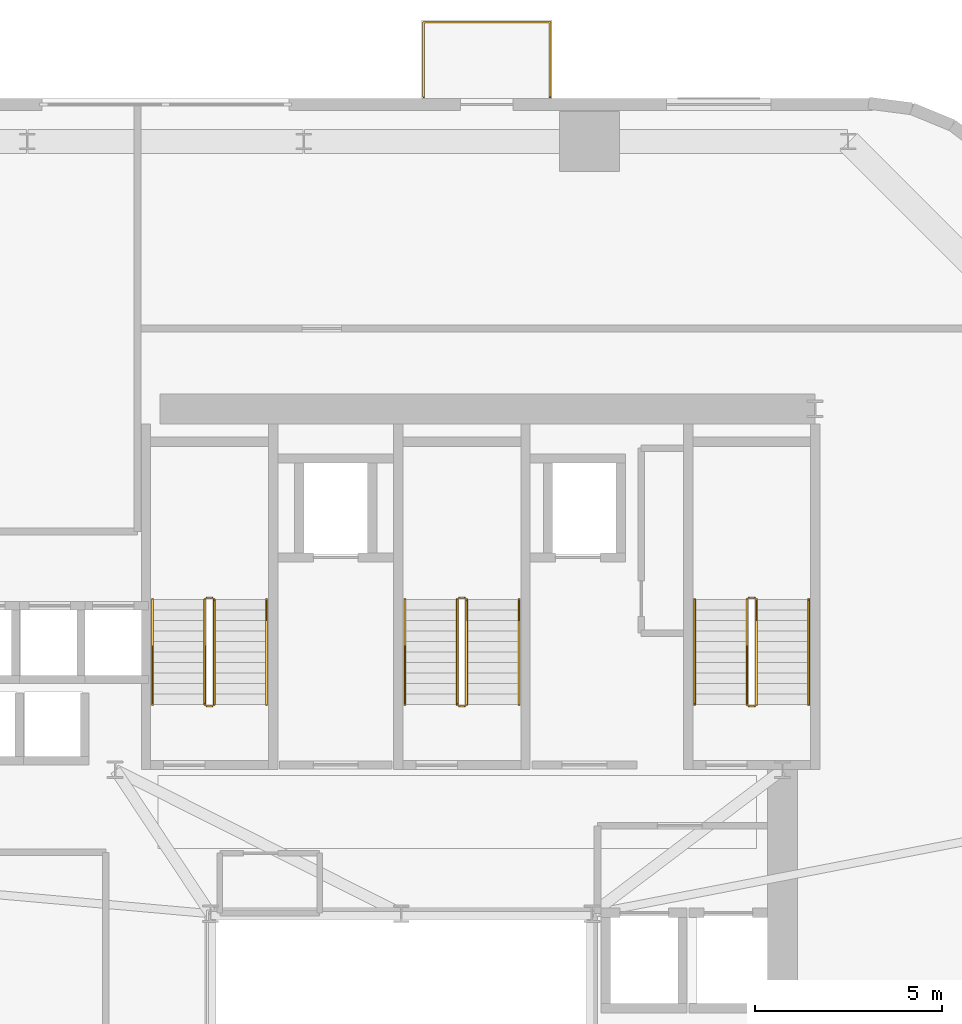
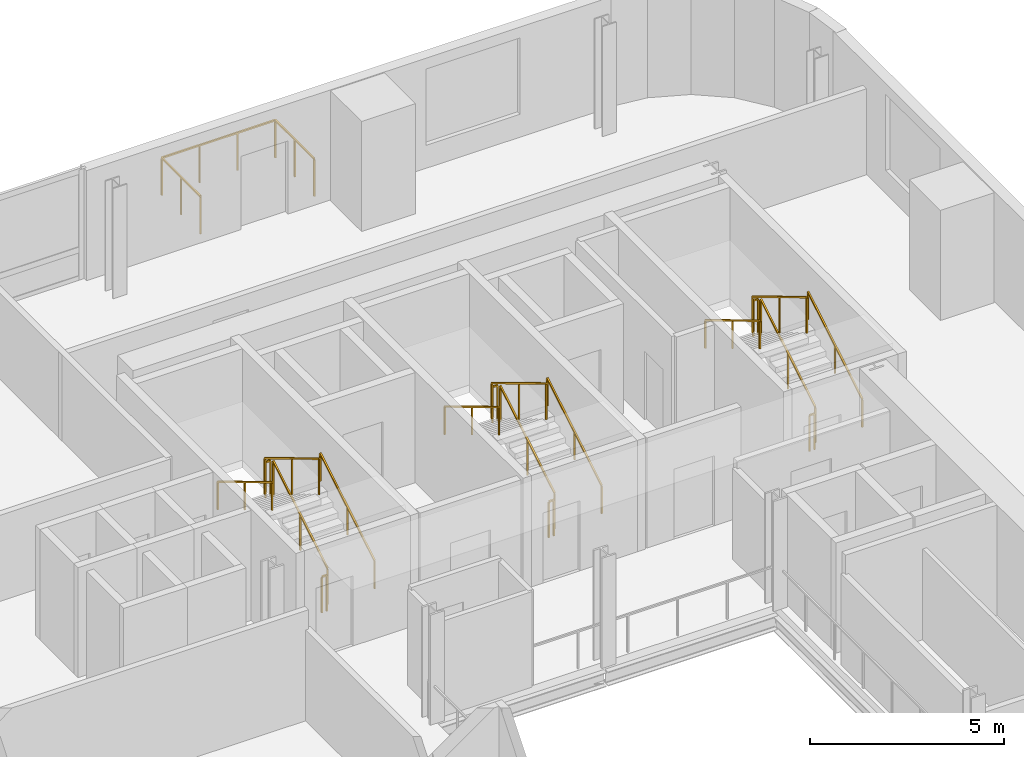
# One storey, part 11 of 11: 19 railings.
"""IFC4 building model written with IfcOpenShell, lengths in metres."""

from ifc_helpers import new_model, si_unit, direction, frame, origin, origin_2d, place, context, subcontext, project, spatial, rectangle, extrude, source, transform, mapped, material, type_object, element, save


model = new_model("IFC4")

# Units and contexts
model_context = context("Model", 3, precision=1e-05, world=origin(), true_north=direction((0.0, 1.0)))
body_context = subcontext(model_context, "Body", "Model", "MODEL_VIEW")
ifc_project = project(units=[si_unit("LENGTHUNIT", "METRE"), si_unit("AREAUNIT", "SQUARE_METRE"), si_unit("VOLUMEUNIT", "CUBIC_METRE"), si_unit("PLANEANGLEUNIT", "RADIAN"), si_unit("MASSUNIT", "GRAM", prefix="KILO")], contexts=[model_context])

# Site, building, storey
site_placement = place(None, origin())
site = spatial("IfcSite", under=ifc_project, at=site_placement, CompositionType="ELEMENT")
building_placement = place(site_placement, origin())
building = spatial("IfcBuilding", under=site, at=building_placement, Name="Vardaveli Station Tower", CompositionType="ELEMENT")
storey_placement = place(building_placement, frame((0.0, 0.0, 155.699951171875)))
storey = spatial("IfcBuildingStorey", under=building, at=storey_placement, Name="L40", CompositionType="ELEMENT", Elevation=155.699951171875)

# Railings
ifc_material_1 = material(Name="Laminated glass and stainless steel balustrade", Category="steel")
railing_type_1 = type_object("IfcRailingType", Name="RL-BAL-1200", PredefinedType="BALUSTRADE", material=ifc_material_1)
shared_shape_1 = source(origin(), body_context, "Body", "SweptSolid", [
    extrude(rectangle(XDim=0.048095703125, YDim=0.048095703125, at=origin_2d()), frame((0.0, 0.0, 1.17578125), z_axis=(0.0, 1.0, 0.0), x_axis=(-1.0, 0.0, 0.0)), (0.0, 0.0, 1.0), 2.0),
    extrude(rectangle(XDim=0.048095703125, YDim=0.048095703125, at=origin_2d()), frame((0.0, 2.0, 1.17578125), z_axis=(1.0, 0.0, 0.0), x_axis=(0.0, 1.0, 0.0)), (0.0, 0.0, 1.0), 3.3798828125),
    extrude(rectangle(XDim=0.048095703125, YDim=0.048095703125, at=origin_2d()), frame((3.3798828125, 2.0, 1.17578125), z_axis=(0.0, -1.0, 0.0), x_axis=(1.0, 0.0, 0.0)), (0.0, 0.0, 1.0), 2.0),
    extrude(rectangle(XDim=0.0419921875, YDim=0.0419921875, at=origin_2d()), origin(), (0.0, 0.0, 1.0), 1.15185546875),
    extrude(rectangle(XDim=0.0419921875, YDim=0.0419921875, at=origin_2d()), frame((0.0, 1.0, 0.0)), (0.0, 0.0, 1.0), 1.15185546875),
    extrude(rectangle(XDim=0.0419921875, YDim=0.0419921875, at=origin_2d()), frame((0.0, 2.0, 0.0)), (0.0, 0.0, 1.0), 1.15185546875),
    extrude(rectangle(XDim=0.0419921875, YDim=0.0419921875, at=origin_2d()), frame((1.126708984375, 2.0, 0.0)), (0.0, 0.0, 1.0), 1.15185546875),
    extrude(rectangle(XDim=0.0419921875, YDim=0.0419921875, at=origin_2d()), frame((2.253173828125, 2.0, 0.0)), (0.0, 0.0, 1.0), 1.15185546875),
    extrude(rectangle(XDim=0.0419921875, YDim=0.0419921875, at=origin_2d()), frame((3.3798828125, 2.0, 0.0)), (0.0, 0.0, 1.0), 1.15185546875),
    extrude(rectangle(XDim=0.0419921875, YDim=0.0419921875, at=origin_2d()), frame((3.3798828125, 1.0, 0.0)), (0.0, 0.0, 1.0), 1.15185546875),
    extrude(rectangle(XDim=0.0419921875, YDim=0.0419921875, at=origin_2d()), frame((3.3798828125, 0.0, 0.0)), (0.0, 0.0, 1.0), 1.15185546875),
])
railing_placement = place(storey_placement, frame((36.899658203125, 48.639892578125, 0.0)))
element("IfcRailing", 1, at=railing_placement, inside=storey, type_object=railing_type_1, Name="RL-LOG-L40-02", PredefinedType="BALUSTRADE", context=body_context, shape_type="MappedRepresentation", body=[
    mapped(shared_shape_1, transform((0.0, 0.0, 0.0), scale=1.0)),
])
ifc_material_2 = material(Name="Brushed AISI 316 stainless steel", Category="steel")
railing_type_2 = type_object("IfcRailingType", Name="RL-GUARD-1150", PredefinedType="GUARDRAIL", material=ifc_material_2)
shared_shape_2 = source(origin(), body_context, "Body", "SweptSolid", [
    extrude(rectangle(XDim=0.048095703125, YDim=0.048095703125, at=origin_2d()), frame((0.0, 0.0, 1.1259765625), z_axis=(-1.0, 0.0, 0.0), x_axis=(0.0, -1.0, 0.0)), (0.0, 0.0, 1.0), 0.14990234375),
    extrude(rectangle(XDim=0.0419921875, YDim=0.0419921875, at=origin_2d()), origin(), (0.0, 0.0, 1.0), 1.101806640625),
    extrude(rectangle(XDim=0.0419921875, YDim=0.0419921875, at=origin_2d()), frame((-0.14990234375, 0.0, 0.0)), (0.0, 0.0, 1.0), 1.101806640625),
])
for number, where, name in (
    (2, (31.25, 35.25, 1.85009765625), "L40 ST-1 stair guard 2"),
    (3, (31.25, 32.35009765625, 0.0), "L40 ST-1 stair guard 4"),
    (4, (38.0, 35.25, 1.85009765625), "L40 ST-2 stair guard 2"),
    (5, (38.0, 32.35009765625, 0.0), "L40 ST-2 stair guard 4"),
    (6, (45.75, 35.25, 1.85009765625), "L40 ST-3 stair guard 2"),
    (7, (45.75, 32.35009765625, 0.0), "L40 ST-3 stair guard 4"),
):
    element("IfcRailing", number, at=place(storey_placement, frame(where)), inside=storey, type_object=railing_type_2, Name=name, PredefinedType="GUARDRAIL", context=body_context, shape_type="MappedRepresentation", body=[
        mapped(shared_shape_2, transform((0.0, 0.0, 0.0), scale=1.0)),
    ])
shared_shape_3 = source(origin(), body_context, "Body", "SweptSolid", [
    extrude(rectangle(XDim=0.048095703125, YDim=0.048095703125, at=origin_2d()), frame((0.0, 0.0, 1.1259765625), z_axis=(0.0, 0.857242210791, 0.514913383045), x_axis=(-1.0, 0.0, 0.0)), (0.0, 0.0, 1.0), 3.266357421875),
    extrude(rectangle(XDim=0.0419921875, YDim=0.0419921875, at=origin_2d()), origin(), (0.0, 0.0, 1.0), 1.101806640625),
    extrude(rectangle(XDim=0.0419921875, YDim=0.0419921875, at=origin_2d()), frame((0.0, 1.39990234375, 0.8408203125)), (0.0, 0.0, 1.0), 1.101806640625),
    extrude(rectangle(XDim=0.0419921875, YDim=0.0419921875, at=origin_2d()), frame((0.0, 2.800048828125, 1.681884765625)), (0.0, 0.0, 1.0), 1.101806640625),
])
for number, where, name in (
    (8, (31.300048828125, 32.39990234375, 0.168212890625), "L40 ST-1 stair guard 1"),
    (9, (38.050048828125, 32.39990234375, 0.168212890625), "L40 ST-2 stair guard 1"),
    (10, (45.800048828125, 32.39990234375, 0.168212890625), "L40 ST-3 stair guard 1"),
):
    element("IfcRailing", number, at=place(storey_placement, frame(where)), inside=storey, type_object=railing_type_2, Name=name, PredefinedType="GUARDRAIL", context=body_context, shape_type="MappedRepresentation", body=[
        mapped(shared_shape_3, transform((0.0, 0.0, 0.0), scale=1.0)),
    ])
railing_type_3 = type_object("IfcRailingType", Name="RL-HAND-900", PredefinedType="HANDRAIL", material=ifc_material_2)
shared_shape_4 = source(origin(), body_context, "Body", "SweptSolid", [
    extrude(rectangle(XDim=0.048095703125, YDim=0.048095703125, at=origin_2d()), frame((0.0, 0.0, 0.8759765625), z_axis=(0.0, 0.857242210791, 0.514913383045), x_axis=(-1.0, 0.0, 0.0)), (0.0, 0.0, 1.0), 3.266357421875),
    extrude(rectangle(XDim=0.0419921875, YDim=0.0419921875, at=origin_2d()), origin(), (0.0, 0.0, 1.0), 0.851806640625),
    extrude(rectangle(XDim=0.0419921875, YDim=0.0419921875, at=origin_2d()), frame((0.0, 1.39990234375, 0.8408203125)), (0.0, 0.0, 1.0), 0.851806640625),
    extrude(rectangle(XDim=0.0419921875, YDim=0.0419921875, at=origin_2d()), frame((0.0, 2.800048828125, 1.681884765625)), (0.0, 0.0, 1.0), 0.851806640625),
])
for number, where, name in (
    (11, (32.699951171875, 32.39990234375, 0.168212890625), "L40 ST-1 stair handrail 1"),
    (12, (39.449951171875, 32.39990234375, 0.168212890625), "L40 ST-2 stair handrail 1"),
    (13, (47.199951171875, 32.39990234375, 0.168212890625), "L40 ST-3 stair handrail 1"),
):
    element("IfcRailing", number, at=place(storey_placement, frame(where)), inside=storey, type_object=railing_type_3, Name=name, PredefinedType="HANDRAIL", context=body_context, shape_type="MappedRepresentation", body=[
        mapped(shared_shape_4, transform((0.0, 0.0, 0.0), scale=1.0)),
    ])
shared_shape_5 = source(origin(), body_context, "Body", "SweptSolid", [
    extrude(rectangle(XDim=0.048095703125, YDim=0.048095703125, at=origin_2d()), frame((0.0, 0.0, 1.1259765625), z_axis=(0.0, -0.857275202839, 0.514858452973), x_axis=(1.0, 0.0, 0.0)), (0.0, 0.0, 1.0), 3.26611328125),
    extrude(rectangle(XDim=0.0419921875, YDim=0.0419921875, at=origin_2d()), origin(), (0.0, 0.0, 1.0), 1.101806640625),
    extrude(rectangle(XDim=0.0419921875, YDim=0.0419921875, at=origin_2d()), frame((0.0, -1.39990234375, 0.8408203125)), (0.0, 0.0, 1.0), 1.101806640625),
    extrude(rectangle(XDim=0.0419921875, YDim=0.0419921875, at=origin_2d()), frame((0.0, -2.800048828125, 1.681640625)), (0.0, 0.0, 1.0), 1.101806640625),
])
for number, where, name in (
    (14, (31.050048828125, 35.199951171875, 2.018310546875), "L40 ST-1 stair guard 3"),
    (15, (37.800048828125, 35.199951171875, 2.018310546875), "L40 ST-2 stair guard 3"),
    (16, (45.550048828125, 35.199951171875, 2.018310546875), "L40 ST-3 stair guard 3"),
):
    element("IfcRailing", number, at=place(storey_placement, frame(where)), inside=storey, type_object=railing_type_2, Name=name, PredefinedType="GUARDRAIL", context=body_context, shape_type="MappedRepresentation", body=[
        mapped(shared_shape_5, transform((0.0, 0.0, 0.0), scale=1.0)),
    ])
shared_shape_6 = source(origin(), body_context, "Body", "SweptSolid", [
    extrude(rectangle(XDim=0.048095703125, YDim=0.048095703125, at=origin_2d()), frame((0.0, 0.0, 0.8759765625), z_axis=(0.0, -0.857275202839, 0.514858452973), x_axis=(1.0, 0.0, 0.0)), (0.0, 0.0, 1.0), 3.26611328125),
    extrude(rectangle(XDim=0.0419921875, YDim=0.0419921875, at=origin_2d()), origin(), (0.0, 0.0, 1.0), 0.851806640625),
    extrude(rectangle(XDim=0.0419921875, YDim=0.0419921875, at=origin_2d()), frame((0.0, -1.39990234375, 0.8408203125)), (0.0, 0.0, 1.0), 0.851806640625),
    extrude(rectangle(XDim=0.0419921875, YDim=0.0419921875, at=origin_2d()), frame((0.0, -2.800048828125, 1.681640625)), (0.0, 0.0, 1.0), 0.851806640625),
])
for number, where, name in (
    (17, (29.64990234375, 35.199951171875, 2.018310546875), "L40 ST-1 stair handrail 2"),
    (18, (36.39990234375, 35.199951171875, 2.018310546875), "L40 ST-2 stair handrail 2"),
    (19, (44.14990234375, 35.199951171875, 2.018310546875), "L40 ST-3 stair handrail 2"),
):
    element("IfcRailing", number, at=place(storey_placement, frame(where)), inside=storey, type_object=railing_type_3, Name=name, PredefinedType="HANDRAIL", context=body_context, shape_type="MappedRepresentation", body=[
        mapped(shared_shape_6, transform((0.0, 0.0, 0.0), scale=1.0)),
    ])

save(model, "model.ifc")
